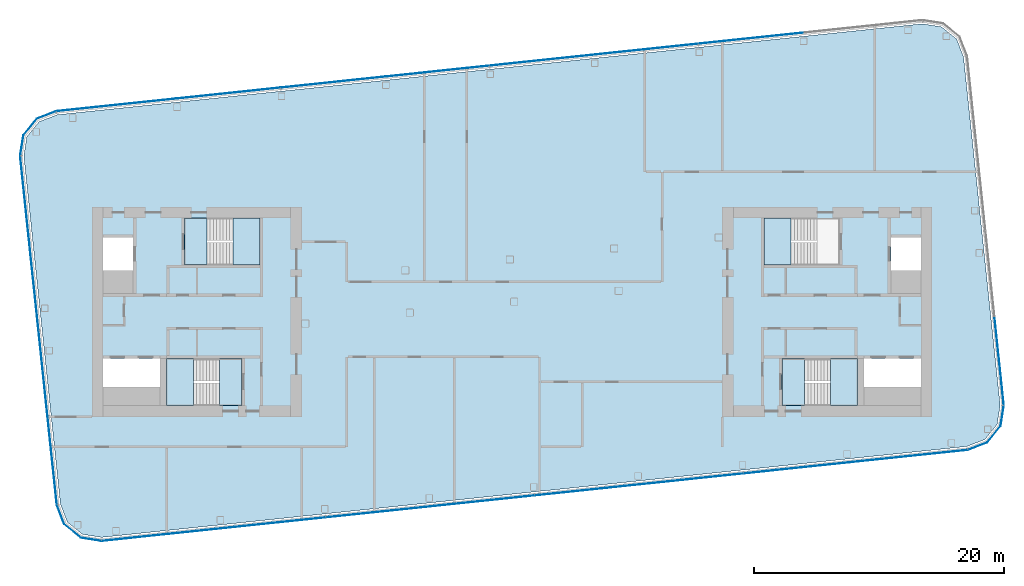
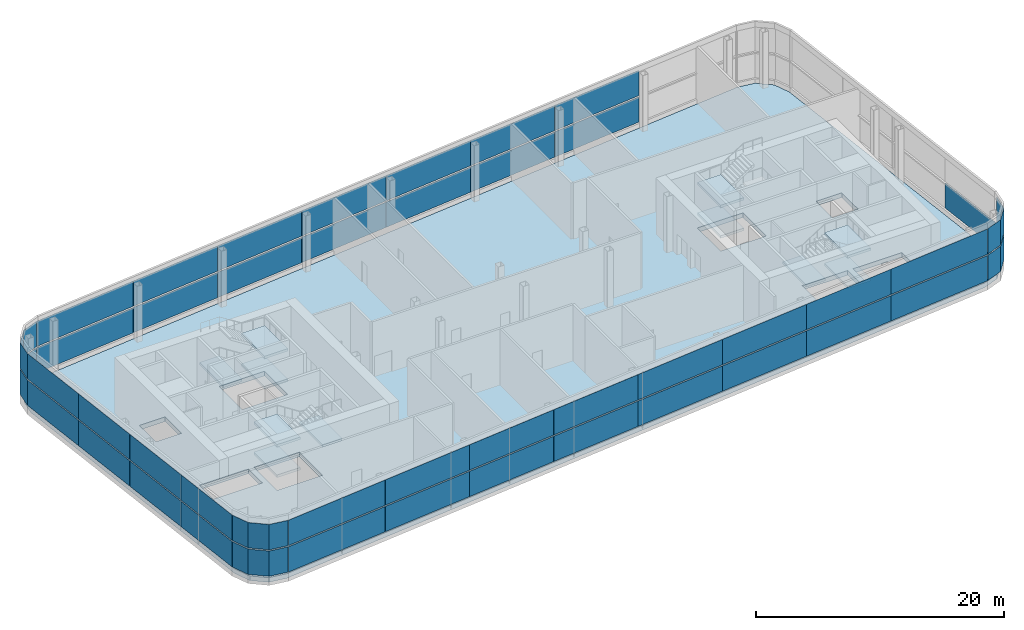
# One storey, part 13 of 35: 45 plates, 12 slabs, 11 elements without a shape of their own.
"""IFC4 building model written with IfcOpenShell, lengths in metres."""

from ifc_helpers import new_model, si_unit, direction, frame, origin, origin_2d, place, context, subcontext, project, spatial, polyline, rectangle, outline, extrude, material, layer, layer_set, type_object, element, aggregate, save


model = new_model("IFC4")

# Units and contexts
model_context = context("Model", 3, precision=1e-05, world=origin(), true_north=direction((0.0, 1.0)))
body_context = subcontext(model_context, "Body", "Model", "MODEL_VIEW")
ifc_project = project(units=[si_unit("LENGTHUNIT", "METRE"), si_unit("AREAUNIT", "SQUARE_METRE"), si_unit("VOLUMEUNIT", "CUBIC_METRE"), si_unit("PLANEANGLEUNIT", "RADIAN"), si_unit("MASSUNIT", "GRAM", prefix="KILO")], contexts=[model_context])

# Site, building, storey
site_placement = place(None, origin())
site = spatial("IfcSite", under=ifc_project, at=site_placement, CompositionType="ELEMENT")
building_placement = place(site_placement, origin())
building = spatial("IfcBuilding", under=site, at=building_placement, Name="Hakoniwa Tower and Hamabe Station Hall", CompositionType="ELEMENT")
storey_placement = place(building_placement, frame((0.0, 0.0, 270.60009765625)))
storey = spatial("IfcBuildingStorey", under=building, at=storey_placement, Name="L76", CompositionType="ELEMENT", Elevation=270.60009765625)

# Stair, slabs
ifc_material_1 = material(Name="Concrete C40", Category="concrete")
stair_type = type_object("IfcStairType", Name="ESCAPE STAIR 1800", PredefinedType="HALF_TURN_STAIR", material=ifc_material_1)
stair_1_placement = place(storey_placement, origin())
stair_1 = element("IfcStair", 1, at=stair_1_placement, inside=storey, type_object=stair_type, Name="Escape stair ST-1 L76", PredefinedType="HALF_TURN_STAIR")
ifc_material_2 = material(Name="Concrete C40", Category="concrete")
ifc_layer_1 = layer(ifc_material_2, 0.25)
ifc_layer_set_1 = layer_set([ifc_layer_1], Name="CORE STAIR LANDING 250")
slab_type_1 = type_object("IfcSlabType", Name="CORE STAIR LANDING 250", PredefinedType="LANDING", material=ifc_layer_set_1)
slab_1_placement = place(storey_placement, frame((0.0, 0.0, 1.25)))
slab_1 = element("IfcSlab", 2, at=slab_1_placement, type_object=slab_type_1, Name="ST-1 landing 1", PredefinedType="LANDING", context=body_context, shape_type="SweptSolid", body=[
    extrude(outline(polyline([(-22.320068359375, 3.75), (-20.14990234375, 3.75), (-20.14990234375, 7.5), (-22.320068359375, 7.5), (-22.320068359375, 3.75)])), origin(), (0.0, 0.0, 1.0), 0.25),
])
slab_2_placement = place(storey_placement, frame((0.0, 0.0, 2.75)))
slab_2 = element("IfcSlab", 3, at=slab_2_placement, type_object=slab_type_1, Name="ST-1 landing 2", PredefinedType="LANDING", context=body_context, shape_type="SweptSolid", body=[
    extrude(outline(polyline([(-26.199951171875, 3.75), (-24.39990234375, 3.75), (-24.39990234375, 7.5), (-26.199951171875, 7.5), (-26.199951171875, 3.75)])), origin(), (0.0, 0.0, 1.0), 0.25),
])
slab_3_placement = place(storey_placement, frame((0.0, 0.0, 4.25)))
slab_3 = element("IfcSlab", 4, at=slab_3_placement, type_object=slab_type_1, Name="ST-1 landing 3", PredefinedType="LANDING", context=body_context, shape_type="SweptSolid", body=[
    extrude(outline(polyline([(-22.320068359375, 3.75), (-20.14990234375, 3.75), (-20.14990234375, 7.5), (-22.320068359375, 7.5), (-22.320068359375, 3.75)])), origin(), (0.0, 0.0, 1.0), 0.25),
])
aggregate(stair_1, [slab_1, slab_2, slab_3])

stair_2_placement = place(storey_placement, origin())
stair_2 = element("IfcStair", 5, at=stair_2_placement, inside=storey, type_object=stair_type, Name="Escape stair ST-2 L76", PredefinedType="HALF_TURN_STAIR")
slab_4_placement = place(storey_placement, frame((0.0, 0.0, 1.25)))
slab_4 = element("IfcSlab", 6, at=slab_4_placement, type_object=slab_type_1, Name="ST-2 landing 1", PredefinedType="LANDING", context=body_context, shape_type="SweptSolid", body=[
    extrude(outline(polyline([(-25.47998046875, -7.5), (-27.64990234375, -7.5), (-27.64990234375, -3.75), (-25.47998046875, -3.75), (-25.47998046875, -7.5)])), origin(), (0.0, 0.0, 1.0), 0.25),
])
slab_5_placement = place(storey_placement, frame((0.0, 0.0, 2.75)))
slab_5 = element("IfcSlab", 7, at=slab_5_placement, type_object=slab_type_1, Name="ST-2 landing 2", PredefinedType="LANDING", context=body_context, shape_type="SweptSolid", body=[
    extrude(outline(polyline([(-21.60009765625, -7.5), (-23.39990234375, -7.5), (-23.39990234375, -3.75), (-21.60009765625, -3.75), (-21.60009765625, -7.5)])), origin(), (0.0, 0.0, 1.0), 0.25),
])
slab_6_placement = place(storey_placement, frame((0.0, 0.0, 4.25)))
slab_6 = element("IfcSlab", 8, at=slab_6_placement, type_object=slab_type_1, Name="ST-2 landing 3", PredefinedType="LANDING", context=body_context, shape_type="SweptSolid", body=[
    extrude(outline(polyline([(-25.47998046875, -7.5), (-27.64990234375, -7.5), (-27.64990234375, -3.75), (-25.47998046875, -3.75), (-25.47998046875, -7.5)])), origin(), (0.0, 0.0, 1.0), 0.25),
])
aggregate(stair_2, [slab_4, slab_5, slab_6])

stair_3_placement = place(storey_placement, origin())
stair_3 = element("IfcStair", 9, at=stair_3_placement, inside=storey, type_object=stair_type, Name="Escape stair ST-3 L76", PredefinedType="HALF_TURN_STAIR")
slab_7_placement = place(storey_placement, frame((0.0, 0.0, 1.25)))
slab_7 = element("IfcSlab", 10, at=slab_7_placement, type_object=slab_type_1, Name="ST-3 landing 1", PredefinedType="LANDING", context=body_context, shape_type="SweptSolid", body=[
    extrude(outline(polyline([(22.320068359375, 3.75), (20.14990234375, 3.75), (20.14990234375, 7.5), (22.320068359375, 7.5), (22.320068359375, 3.75)])), origin(), (0.0, 0.0, 1.0), 0.25),
])
slab_8_placement = place(storey_placement, frame((0.0, 0.0, 4.25)))
slab_8 = element("IfcSlab", 11, at=slab_8_placement, type_object=slab_type_1, Name="ST-3 landing 3", PredefinedType="LANDING", context=body_context, shape_type="SweptSolid", body=[
    extrude(outline(polyline([(22.320068359375, 3.75), (20.14990234375, 3.75), (20.14990234375, 7.5), (22.320068359375, 7.5), (22.320068359375, 3.75)])), origin(), (0.0, 0.0, 1.0), 0.25),
])
aggregate(stair_3, [slab_7, slab_8])

stair_4_placement = place(storey_placement, origin())
stair_4 = element("IfcStair", 12, at=stair_4_placement, inside=storey, type_object=stair_type, Name="Escape stair ST-4 L76", PredefinedType="HALF_TURN_STAIR")
slab_9_placement = place(storey_placement, frame((0.0, 0.0, 1.25)))
slab_9 = element("IfcSlab", 13, at=slab_9_placement, type_object=slab_type_1, Name="ST-4 landing 1", PredefinedType="LANDING", context=body_context, shape_type="SweptSolid", body=[
    extrude(outline(polyline([(25.47998046875, -7.5), (27.64990234375, -7.5), (27.64990234375, -3.75), (25.47998046875, -3.75), (25.47998046875, -7.5)])), origin(), (0.0, 0.0, 1.0), 0.25),
])
slab_10_placement = place(storey_placement, frame((0.0, 0.0, 2.75)))
slab_10 = element("IfcSlab", 14, at=slab_10_placement, type_object=slab_type_1, Name="ST-4 landing 2", PredefinedType="LANDING", context=body_context, shape_type="SweptSolid", body=[
    extrude(outline(polyline([(21.60009765625, -7.5), (23.39990234375, -7.5), (23.39990234375, -3.75), (21.60009765625, -3.75), (21.60009765625, -7.5)])), origin(), (0.0, 0.0, 1.0), 0.25),
])
slab_11_placement = place(storey_placement, frame((0.0, 0.0, 4.25)))
slab_11 = element("IfcSlab", 15, at=slab_11_placement, type_object=slab_type_1, Name="ST-4 landing 3", PredefinedType="LANDING", context=body_context, shape_type="SweptSolid", body=[
    extrude(outline(polyline([(25.47998046875, -7.5), (27.64990234375, -7.5), (27.64990234375, -3.75), (25.47998046875, -3.75), (25.47998046875, -7.5)])), origin(), (0.0, 0.0, 1.0), 0.25),
])
aggregate(stair_4, [slab_9, slab_10, slab_11])

# Curtain wall, plate
ifc_material_3 = material(Name="Dark low-e laminated glass", Category="glass")
ifc_layer_2 = layer(ifc_material_3, 0.199951171875)
ifc_layer_set_2 = layer_set([ifc_layer_2], Name="CW-1 UNITISED GUEST")
curtain_wall_type = type_object("IfcCurtainWallType", Name="CW-1 UNITISED GUEST", PredefinedType="NOTDEFINED", material=ifc_layer_set_2)
curtain_wall_1_placement = place(storey_placement, origin())
curtain_wall_1 = element("IfcCurtainWall", 16, at=curtain_wall_1_placement, inside=storey, type_object=curtain_wall_type, Name="CW-1 curtain wall", PredefinedType="NOTDEFINED")
ifc_material_4 = material(Name="Dark low-e laminated glass", Category="glass")
ifc_layer_3 = layer(ifc_material_4, 0.028076171875)
ifc_layer_set_3 = layer_set([ifc_layer_3], Name="CW-1 GLASS UNIT")
plate_type = type_object("IfcPlateType", Name="CW-1 GLASS UNIT", PredefinedType="CURTAIN_PANEL", material=ifc_layer_set_3)
plate_1_placement = place(storey_placement, frame((38.97802734375, -3.990966796875, 0.35009765625), z_axis=(0.0, 0.0, 1.0), x_axis=(-0.104528468631, 0.994521894805, 0.0)))
plate_1 = element("IfcPlate", 17, at=plate_1_placement, type_object=plate_type, Name="CW-1 glass unit", PredefinedType="CURTAIN_PANEL", context=body_context, shape_type="SweptSolid", body=[
    extrude(rectangle(XDim=6.999755859375, YDim=0.028076171875, at=origin_2d()), origin(), (0.0, 0.0, 1.0), 2.489990234375),
])
aggregate(curtain_wall_1, [plate_1])

# Curtain wall, plates
curtain_wall_2_placement = place(storey_placement, origin())
curtain_wall_2 = element("IfcCurtainWall", 18, at=curtain_wall_2_placement, inside=storey, type_object=curtain_wall_type, Name="CW-1 curtain wall", PredefinedType="NOTDEFINED")
plate_2_placement = place(storey_placement, frame((19.078125, 21.886474609375, 0.35009765625), z_axis=(0.0, 0.0, 1.0), x_axis=(-0.994521895272, -0.104528464188, 0.0)))
plate_2 = element("IfcPlate", 19, at=plate_2_placement, type_object=plate_type, Name="CW-1 glass unit", PredefinedType="CURTAIN_PANEL", context=body_context, shape_type="SweptSolid", body=[
    extrude(rectangle(XDim=8.3798828125, YDim=0.028076171875, at=origin_2d()), origin(), (0.0, 0.0, 1.0), 2.489990234375),
])
plate_3_placement = place(storey_placement, frame((19.078125, 21.886474609375, 2.9599609375), z_axis=(0.0, 0.0, 1.0), x_axis=(-0.994521895272, -0.104528464188, 0.0)))
plate_3 = element("IfcPlate", 20, at=plate_3_placement, type_object=plate_type, Name="CW-1 glass unit", PredefinedType="CURTAIN_PANEL", context=body_context, shape_type="SweptSolid", body=[
    extrude(rectangle(XDim=8.3798828125, YDim=0.028076171875, at=origin_2d()), origin(), (0.0, 0.0, 1.0), 2.489990234375),
])
plate_4_placement = place(storey_placement, frame((10.72412109375, 21.00830078125, 0.35009765625), z_axis=(0.0, 0.0, 1.0), x_axis=(-0.994521895272, -0.104528464188, 0.0)))
plate_4 = element("IfcPlate", 21, at=plate_4_placement, type_object=plate_type, Name="CW-1 glass unit", PredefinedType="CURTAIN_PANEL", context=body_context, shape_type="SweptSolid", body=[
    extrude(rectangle(XDim=8.3798828125, YDim=0.028076171875, at=origin_2d()), origin(), (0.0, 0.0, 1.0), 2.489990234375),
])
plate_5_placement = place(storey_placement, frame((10.72412109375, 21.00830078125, 2.9599609375), z_axis=(0.0, 0.0, 1.0), x_axis=(-0.994521895272, -0.104528464188, 0.0)))
plate_5 = element("IfcPlate", 22, at=plate_5_placement, type_object=plate_type, Name="CW-1 glass unit", PredefinedType="CURTAIN_PANEL", context=body_context, shape_type="SweptSolid", body=[
    extrude(rectangle(XDim=8.3798828125, YDim=0.028076171875, at=origin_2d()), origin(), (0.0, 0.0, 1.0), 2.489990234375),
])
plate_6_placement = place(storey_placement, frame((2.3701171875, 20.13037109375, 0.35009765625), z_axis=(0.0, 0.0, 1.0), x_axis=(-0.994521895272, -0.104528464188, 0.0)))
plate_6 = element("IfcPlate", 23, at=plate_6_placement, type_object=plate_type, Name="CW-1 glass unit", PredefinedType="CURTAIN_PANEL", context=body_context, shape_type="SweptSolid", body=[
    extrude(rectangle(XDim=8.3798828125, YDim=0.028076171875, at=origin_2d()), origin(), (0.0, 0.0, 1.0), 2.489990234375),
])
plate_7_placement = place(storey_placement, frame((2.3701171875, 20.13037109375, 2.9599609375), z_axis=(0.0, 0.0, 1.0), x_axis=(-0.994521895272, -0.104528464188, 0.0)))
plate_7 = element("IfcPlate", 24, at=plate_7_placement, type_object=plate_type, Name="CW-1 glass unit", PredefinedType="CURTAIN_PANEL", context=body_context, shape_type="SweptSolid", body=[
    extrude(rectangle(XDim=8.3798828125, YDim=0.028076171875, at=origin_2d()), origin(), (0.0, 0.0, 1.0), 2.489990234375),
])
plate_8_placement = place(storey_placement, frame((-5.98388671875, 19.252197265625, 0.35009765625), z_axis=(0.0, 0.0, 1.0), x_axis=(-0.994521895272, -0.104528464188, 0.0)))
plate_8 = element("IfcPlate", 25, at=plate_8_placement, type_object=plate_type, Name="CW-1 glass unit", PredefinedType="CURTAIN_PANEL", context=body_context, shape_type="SweptSolid", body=[
    extrude(rectangle(XDim=8.3798828125, YDim=0.028076171875, at=origin_2d()), origin(), (0.0, 0.0, 1.0), 2.489990234375),
])
plate_9_placement = place(storey_placement, frame((-5.98388671875, 19.252197265625, 2.9599609375), z_axis=(0.0, 0.0, 1.0), x_axis=(-0.994521895272, -0.104528464188, 0.0)))
plate_9 = element("IfcPlate", 26, at=plate_9_placement, type_object=plate_type, Name="CW-1 glass unit", PredefinedType="CURTAIN_PANEL", context=body_context, shape_type="SweptSolid", body=[
    extrude(rectangle(XDim=8.3798828125, YDim=0.028076171875, at=origin_2d()), origin(), (0.0, 0.0, 1.0), 2.489990234375),
])
plate_10_placement = place(storey_placement, frame((-14.337890625, 18.374267578125, 0.35009765625), z_axis=(0.0, 0.0, 1.0), x_axis=(-0.994521895272, -0.104528464188, 0.0)))
plate_10 = element("IfcPlate", 27, at=plate_10_placement, type_object=plate_type, Name="CW-1 glass unit", PredefinedType="CURTAIN_PANEL", context=body_context, shape_type="SweptSolid", body=[
    extrude(rectangle(XDim=8.3798828125, YDim=0.028076171875, at=origin_2d()), origin(), (0.0, 0.0, 1.0), 2.489990234375),
])
plate_11_placement = place(storey_placement, frame((-14.337890625, 18.374267578125, 2.9599609375), z_axis=(0.0, 0.0, 1.0), x_axis=(-0.994521895272, -0.104528464188, 0.0)))
plate_11 = element("IfcPlate", 28, at=plate_11_placement, type_object=plate_type, Name="CW-1 glass unit", PredefinedType="CURTAIN_PANEL", context=body_context, shape_type="SweptSolid", body=[
    extrude(rectangle(XDim=8.3798828125, YDim=0.028076171875, at=origin_2d()), origin(), (0.0, 0.0, 1.0), 2.489990234375),
])
plate_12_placement = place(storey_placement, frame((-22.69189453125, 17.49609375, 0.35009765625), z_axis=(0.0, 0.0, 1.0), x_axis=(-0.994521895272, -0.104528464188, 0.0)))
plate_12 = element("IfcPlate", 29, at=plate_12_placement, type_object=plate_type, Name="CW-1 glass unit", PredefinedType="CURTAIN_PANEL", context=body_context, shape_type="SweptSolid", body=[
    extrude(rectangle(XDim=8.3798828125, YDim=0.028076171875, at=origin_2d()), origin(), (0.0, 0.0, 1.0), 2.489990234375),
])
plate_13_placement = place(storey_placement, frame((-22.69189453125, 17.49609375, 2.9599609375), z_axis=(0.0, 0.0, 1.0), x_axis=(-0.994521895272, -0.104528464188, 0.0)))
plate_13 = element("IfcPlate", 30, at=plate_13_placement, type_object=plate_type, Name="CW-1 glass unit", PredefinedType="CURTAIN_PANEL", context=body_context, shape_type="SweptSolid", body=[
    extrude(rectangle(XDim=8.3798828125, YDim=0.028076171875, at=origin_2d()), origin(), (0.0, 0.0, 1.0), 2.489990234375),
])
plate_14_placement = place(storey_placement, frame((-31.662109375, 16.553466796875, 0.35009765625), z_axis=(0.0, 0.0, 1.0), x_axis=(-0.994521895272, -0.104528464188, 0.0)))
plate_14 = element("IfcPlate", 31, at=plate_14_placement, type_object=plate_type, Name="CW-1 glass unit", PredefinedType="CURTAIN_PANEL", context=body_context, shape_type="SweptSolid", body=[
    extrude(rectangle(XDim=9.619384765625, YDim=0.028076171875, at=origin_2d()), origin(), (0.0, 0.0, 1.0), 2.489990234375),
])
plate_15_placement = place(storey_placement, frame((-31.662109375, 16.553466796875, 2.9599609375), z_axis=(0.0, 0.0, 1.0), x_axis=(-0.994521895272, -0.104528464188, 0.0)))
plate_15 = element("IfcPlate", 32, at=plate_15_placement, type_object=plate_type, Name="CW-1 glass unit", PredefinedType="CURTAIN_PANEL", context=body_context, shape_type="SweptSolid", body=[
    extrude(rectangle(XDim=9.619384765625, YDim=0.028076171875, at=origin_2d()), origin(), (0.0, 0.0, 1.0), 2.489990234375),
])
aggregate(curtain_wall_2, [plate_2, plate_3, plate_4, plate_5, plate_6, plate_7, plate_8, plate_9, plate_10, plate_11, plate_12, plate_13, plate_14, plate_15])

curtain_wall_3_placement = place(storey_placement, origin())
curtain_wall_3 = element("IfcCurtainWall", 33, at=curtain_wall_3_placement, inside=storey, type_object=curtain_wall_type, Name="CW-1 curtain wall", PredefinedType="NOTDEFINED")
plate_16_placement = place(storey_placement, frame((0.0, 0.0, 0.349853515625)))
plate_16 = element("IfcPlate", 34, at=plate_16_placement, type_object=plate_type, Name="CW-1 curved corner unit", PredefinedType="CURTAIN_PANEL", context=body_context, shape_type="SweptSolid", body=[
    extrude(outline(polyline([(-36.494384765625, 16.049072265625), (-38.0185546875, 15.464111328125), (-39.09716796875, 14.13232421875), (-39.3525390625, 12.51953125), (-39.324951171875, 12.51513671875), (-39.070556640625, 14.120361328125), (-38.001708984375, 15.440673828125), (-36.484375, 16.02294921875), (-36.494384765625, 16.049072265625)])), origin(), (0.0, 0.0, 1.0), 2.489990234375),
])
plate_17_placement = place(storey_placement, frame((0.0, 0.0, 2.9599609375)))
plate_17 = element("IfcPlate", 35, at=plate_17_placement, type_object=plate_type, Name="CW-1 curved corner unit", PredefinedType="CURTAIN_PANEL", context=body_context, shape_type="SweptSolid", body=[
    extrude(outline(polyline([(-36.494384765625, 16.049072265625), (-38.0185546875, 15.464111328125), (-39.09716796875, 14.13232421875), (-39.3525390625, 12.51953125), (-39.324951171875, 12.51513671875), (-39.070556640625, 14.120361328125), (-38.001708984375, 15.440673828125), (-36.484375, 16.02294921875), (-36.494384765625, 16.049072265625)])), origin(), (0.0, 0.0, 1.0), 2.489990234375),
])
aggregate(curtain_wall_3, [plate_16, plate_17])

curtain_wall_4_placement = place(storey_placement, origin())
curtain_wall_4 = element("IfcCurtainWall", 36, at=curtain_wall_4_placement, inside=storey, type_object=curtain_wall_type, Name="CW-1 curtain wall", PredefinedType="NOTDEFINED")
plate_18_placement = place(storey_placement, frame((-38.97802734375, 8.990966796875, 0.35009765625), z_axis=(0.0, 0.0, 1.0), x_axis=(0.104528468631, -0.994521894805, 0.0)))
plate_18 = element("IfcPlate", 37, at=plate_18_placement, type_object=plate_type, Name="CW-1 glass unit", PredefinedType="CURTAIN_PANEL", context=body_context, shape_type="SweptSolid", body=[
    extrude(rectangle(XDim=6.999755859375, YDim=0.028076171875, at=origin_2d()), origin(), (0.0, 0.0, 1.0), 2.489990234375),
])
plate_19_placement = place(storey_placement, frame((-38.97802734375, 8.990966796875, 2.9599609375), z_axis=(0.0, 0.0, 1.0), x_axis=(0.104528468631, -0.994521894805, 0.0)))
plate_19 = element("IfcPlate", 38, at=plate_19_placement, type_object=plate_type, Name="CW-1 glass unit", PredefinedType="CURTAIN_PANEL", context=body_context, shape_type="SweptSolid", body=[
    extrude(rectangle(XDim=6.999755859375, YDim=0.028076171875, at=origin_2d()), origin(), (0.0, 0.0, 1.0), 2.489990234375),
])
plate_20_placement = place(storey_placement, frame((-38.244140625, 2.009521484375, 0.35009765625), z_axis=(0.0, 0.0, 1.0), x_axis=(0.104528468631, -0.994521894805, 0.0)))
plate_20 = element("IfcPlate", 39, at=plate_20_placement, type_object=plate_type, Name="CW-1 glass unit", PredefinedType="CURTAIN_PANEL", context=body_context, shape_type="SweptSolid", body=[
    extrude(rectangle(XDim=6.999755859375, YDim=0.028076171875, at=origin_2d()), origin(), (0.0, 0.0, 1.0), 2.489990234375),
])
plate_21_placement = place(storey_placement, frame((-38.244140625, 2.009521484375, 2.9599609375), z_axis=(0.0, 0.0, 1.0), x_axis=(0.104528468631, -0.994521894805, 0.0)))
plate_21 = element("IfcPlate", 40, at=plate_21_placement, type_object=plate_type, Name="CW-1 glass unit", PredefinedType="CURTAIN_PANEL", context=body_context, shape_type="SweptSolid", body=[
    extrude(rectangle(XDim=6.999755859375, YDim=0.028076171875, at=origin_2d()), origin(), (0.0, 0.0, 1.0), 2.489990234375),
])
plate_22_placement = place(storey_placement, frame((-37.510498046875, -4.9716796875, 0.35009765625), z_axis=(0.0, 0.0, 1.0), x_axis=(0.104528468631, -0.994521894805, 0.0)))
plate_22 = element("IfcPlate", 41, at=plate_22_placement, type_object=plate_type, Name="CW-1 glass unit", PredefinedType="CURTAIN_PANEL", context=body_context, shape_type="SweptSolid", body=[
    extrude(rectangle(XDim=6.999755859375, YDim=0.028076171875, at=origin_2d()), origin(), (0.0, 0.0, 1.0), 2.489990234375),
])
plate_23_placement = place(storey_placement, frame((-37.510498046875, -4.9716796875, 2.9599609375), z_axis=(0.0, 0.0, 1.0), x_axis=(0.104528468631, -0.994521894805, 0.0)))
plate_23 = element("IfcPlate", 42, at=plate_23_placement, type_object=plate_type, Name="CW-1 glass unit", PredefinedType="CURTAIN_PANEL", context=body_context, shape_type="SweptSolid", body=[
    extrude(rectangle(XDim=6.999755859375, YDim=0.028076171875, at=origin_2d()), origin(), (0.0, 0.0, 1.0), 2.489990234375),
])
plate_24_placement = place(storey_placement, frame((-36.776611328125, -11.953125, 0.35009765625), z_axis=(0.0, 0.0, 1.0), x_axis=(0.104528468631, -0.994521894805, 0.0)))
plate_24 = element("IfcPlate", 43, at=plate_24_placement, type_object=plate_type, Name="CW-1 glass unit", PredefinedType="CURTAIN_PANEL", context=body_context, shape_type="SweptSolid", body=[
    extrude(rectangle(XDim=6.999755859375, YDim=0.028076171875, at=origin_2d()), origin(), (0.0, 0.0, 1.0), 2.489990234375),
])
plate_25_placement = place(storey_placement, frame((-36.776611328125, -11.953125, 2.9599609375), z_axis=(0.0, 0.0, 1.0), x_axis=(0.104528468631, -0.994521894805, 0.0)))
plate_25 = element("IfcPlate", 44, at=plate_25_placement, type_object=plate_type, Name="CW-1 glass unit", PredefinedType="CURTAIN_PANEL", context=body_context, shape_type="SweptSolid", body=[
    extrude(rectangle(XDim=6.999755859375, YDim=0.028076171875, at=origin_2d()), origin(), (0.0, 0.0, 1.0), 2.489990234375),
])
aggregate(curtain_wall_4, [plate_18, plate_19, plate_20, plate_21, plate_22, plate_23, plate_24, plate_25])

curtain_wall_5_placement = place(storey_placement, origin())
curtain_wall_5 = element("IfcCurtainWall", 45, at=curtain_wall_5_placement, inside=storey, type_object=curtain_wall_type, Name="CW-1 curtain wall", PredefinedType="NOTDEFINED")
plate_26_placement = place(storey_placement, frame((0.0, 0.0, 0.349853515625)))
plate_26 = element("IfcPlate", 46, at=plate_26_placement, type_object=plate_type, Name="CW-1 curved corner unit", PredefinedType="CURTAIN_PANEL", context=body_context, shape_type="SweptSolid", body=[
    extrude(outline(polyline([(-36.409423828125, -15.482421875), (-35.82421875, -17.0068359375), (-34.492431640625, -18.085205078125), (-32.8798828125, -18.340576171875), (-32.87548828125, -18.31298828125), (-34.480712890625, -18.058837890625), (-35.80078125, -16.98974609375), (-36.38330078125, -15.472412109375), (-36.409423828125, -15.482421875)])), origin(), (0.0, 0.0, 1.0), 2.489990234375),
])
plate_27_placement = place(storey_placement, frame((0.0, 0.0, 2.9599609375)))
plate_27 = element("IfcPlate", 47, at=plate_27_placement, type_object=plate_type, Name="CW-1 curved corner unit", PredefinedType="CURTAIN_PANEL", context=body_context, shape_type="SweptSolid", body=[
    extrude(outline(polyline([(-36.409423828125, -15.482421875), (-35.82421875, -17.0068359375), (-34.492431640625, -18.085205078125), (-32.8798828125, -18.340576171875), (-32.87548828125, -18.31298828125), (-34.480712890625, -18.058837890625), (-35.80078125, -16.98974609375), (-36.38330078125, -15.472412109375), (-36.409423828125, -15.482421875)])), origin(), (0.0, 0.0, 1.0), 2.489990234375),
])
aggregate(curtain_wall_5, [plate_26, plate_27])

curtain_wall_6_placement = place(storey_placement, origin())
curtain_wall_6 = element("IfcCurtainWall", 48, at=curtain_wall_6_placement, inside=storey, type_object=curtain_wall_type, Name="CW-1 curtain wall", PredefinedType="NOTDEFINED")
plate_28_placement = place(storey_placement, frame((-28.04833984375, -17.829345703125, 0.35009765625), z_axis=(0.0, 0.0, 1.0), x_axis=(0.994521895272, 0.104528464188, 0.0)))
plate_28 = element("IfcPlate", 49, at=plate_28_placement, type_object=plate_type, Name="CW-1 glass unit", PredefinedType="CURTAIN_PANEL", context=body_context, shape_type="SweptSolid", body=[
    extrude(rectangle(XDim=9.619384765625, YDim=0.028076171875, at=origin_2d()), origin(), (0.0, 0.0, 1.0), 2.489990234375),
])
plate_29_placement = place(storey_placement, frame((-28.04833984375, -17.829345703125, 2.9599609375), z_axis=(0.0, 0.0, 1.0), x_axis=(0.994521895272, 0.104528464188, 0.0)))
plate_29 = element("IfcPlate", 50, at=plate_29_placement, type_object=plate_type, Name="CW-1 glass unit", PredefinedType="CURTAIN_PANEL", context=body_context, shape_type="SweptSolid", body=[
    extrude(rectangle(XDim=9.619384765625, YDim=0.028076171875, at=origin_2d()), origin(), (0.0, 0.0, 1.0), 2.489990234375),
])
plate_30_placement = place(storey_placement, frame((-19.078125, -16.886474609375, 0.35009765625), z_axis=(0.0, 0.0, 1.0), x_axis=(0.994521895272, 0.104528464188, 0.0)))
plate_30 = element("IfcPlate", 51, at=plate_30_placement, type_object=plate_type, Name="CW-1 glass unit", PredefinedType="CURTAIN_PANEL", context=body_context, shape_type="SweptSolid", body=[
    extrude(rectangle(XDim=8.3798828125, YDim=0.028076171875, at=origin_2d()), origin(), (0.0, 0.0, 1.0), 2.489990234375),
])
plate_31_placement = place(storey_placement, frame((-19.078125, -16.886474609375, 2.9599609375), z_axis=(0.0, 0.0, 1.0), x_axis=(0.994521895272, 0.104528464188, 0.0)))
plate_31 = element("IfcPlate", 52, at=plate_31_placement, type_object=plate_type, Name="CW-1 glass unit", PredefinedType="CURTAIN_PANEL", context=body_context, shape_type="SweptSolid", body=[
    extrude(rectangle(XDim=8.3798828125, YDim=0.028076171875, at=origin_2d()), origin(), (0.0, 0.0, 1.0), 2.489990234375),
])
plate_32_placement = place(storey_placement, frame((-10.72412109375, -16.00830078125, 0.35009765625), z_axis=(0.0, 0.0, 1.0), x_axis=(0.994521895272, 0.104528464188, 0.0)))
plate_32 = element("IfcPlate", 53, at=plate_32_placement, type_object=plate_type, Name="CW-1 glass unit", PredefinedType="CURTAIN_PANEL", context=body_context, shape_type="SweptSolid", body=[
    extrude(rectangle(XDim=8.3798828125, YDim=0.028076171875, at=origin_2d()), origin(), (0.0, 0.0, 1.0), 2.489990234375),
])
plate_33_placement = place(storey_placement, frame((-10.72412109375, -16.00830078125, 2.9599609375), z_axis=(0.0, 0.0, 1.0), x_axis=(0.994521895272, 0.104528464188, 0.0)))
plate_33 = element("IfcPlate", 54, at=plate_33_placement, type_object=plate_type, Name="CW-1 glass unit", PredefinedType="CURTAIN_PANEL", context=body_context, shape_type="SweptSolid", body=[
    extrude(rectangle(XDim=8.3798828125, YDim=0.028076171875, at=origin_2d()), origin(), (0.0, 0.0, 1.0), 2.489990234375),
])
plate_34_placement = place(storey_placement, frame((-2.3701171875, -15.13037109375, 0.35009765625), z_axis=(0.0, 0.0, 1.0), x_axis=(0.994521895272, 0.104528464188, 0.0)))
plate_34 = element("IfcPlate", 55, at=plate_34_placement, type_object=plate_type, Name="CW-1 glass unit", PredefinedType="CURTAIN_PANEL", context=body_context, shape_type="SweptSolid", body=[
    extrude(rectangle(XDim=8.3798828125, YDim=0.028076171875, at=origin_2d()), origin(), (0.0, 0.0, 1.0), 2.489990234375),
])
plate_35_placement = place(storey_placement, frame((-2.3701171875, -15.13037109375, 2.9599609375), z_axis=(0.0, 0.0, 1.0), x_axis=(0.994521895272, 0.104528464188, 0.0)))
plate_35 = element("IfcPlate", 56, at=plate_35_placement, type_object=plate_type, Name="CW-1 glass unit", PredefinedType="CURTAIN_PANEL", context=body_context, shape_type="SweptSolid", body=[
    extrude(rectangle(XDim=8.3798828125, YDim=0.028076171875, at=origin_2d()), origin(), (0.0, 0.0, 1.0), 2.489990234375),
])
plate_36_placement = place(storey_placement, frame((5.98388671875, -14.252197265625, 0.35009765625), z_axis=(0.0, 0.0, 1.0), x_axis=(0.994521895272, 0.104528464188, 0.0)))
plate_36 = element("IfcPlate", 57, at=plate_36_placement, type_object=plate_type, Name="CW-1 glass unit", PredefinedType="CURTAIN_PANEL", context=body_context, shape_type="SweptSolid", body=[
    extrude(rectangle(XDim=8.3798828125, YDim=0.028076171875, at=origin_2d()), origin(), (0.0, 0.0, 1.0), 2.489990234375),
])
plate_37_placement = place(storey_placement, frame((5.98388671875, -14.252197265625, 2.9599609375), z_axis=(0.0, 0.0, 1.0), x_axis=(0.994521895272, 0.104528464188, 0.0)))
plate_37 = element("IfcPlate", 58, at=plate_37_placement, type_object=plate_type, Name="CW-1 glass unit", PredefinedType="CURTAIN_PANEL", context=body_context, shape_type="SweptSolid", body=[
    extrude(rectangle(XDim=8.3798828125, YDim=0.028076171875, at=origin_2d()), origin(), (0.0, 0.0, 1.0), 2.489990234375),
])
plate_38_placement = place(storey_placement, frame((14.337890625, -13.374267578125, 0.35009765625), z_axis=(0.0, 0.0, 1.0), x_axis=(0.994521895272, 0.104528464188, 0.0)))
plate_38 = element("IfcPlate", 59, at=plate_38_placement, type_object=plate_type, Name="CW-1 glass unit", PredefinedType="CURTAIN_PANEL", context=body_context, shape_type="SweptSolid", body=[
    extrude(rectangle(XDim=8.3798828125, YDim=0.028076171875, at=origin_2d()), origin(), (0.0, 0.0, 1.0), 2.489990234375),
])
plate_39_placement = place(storey_placement, frame((14.337890625, -13.374267578125, 2.9599609375), z_axis=(0.0, 0.0, 1.0), x_axis=(0.994521895272, 0.104528464188, 0.0)))
plate_39 = element("IfcPlate", 60, at=plate_39_placement, type_object=plate_type, Name="CW-1 glass unit", PredefinedType="CURTAIN_PANEL", context=body_context, shape_type="SweptSolid", body=[
    extrude(rectangle(XDim=8.3798828125, YDim=0.028076171875, at=origin_2d()), origin(), (0.0, 0.0, 1.0), 2.489990234375),
])
plate_40_placement = place(storey_placement, frame((22.69189453125, -12.49609375, 0.35009765625), z_axis=(0.0, 0.0, 1.0), x_axis=(0.994521895272, 0.104528464188, 0.0)))
plate_40 = element("IfcPlate", 61, at=plate_40_placement, type_object=plate_type, Name="CW-1 glass unit", PredefinedType="CURTAIN_PANEL", context=body_context, shape_type="SweptSolid", body=[
    extrude(rectangle(XDim=8.3798828125, YDim=0.028076171875, at=origin_2d()), origin(), (0.0, 0.0, 1.0), 2.489990234375),
])
plate_41_placement = place(storey_placement, frame((22.69189453125, -12.49609375, 2.9599609375), z_axis=(0.0, 0.0, 1.0), x_axis=(0.994521895272, 0.104528464188, 0.0)))
plate_41 = element("IfcPlate", 62, at=plate_41_placement, type_object=plate_type, Name="CW-1 glass unit", PredefinedType="CURTAIN_PANEL", context=body_context, shape_type="SweptSolid", body=[
    extrude(rectangle(XDim=8.3798828125, YDim=0.028076171875, at=origin_2d()), origin(), (0.0, 0.0, 1.0), 2.489990234375),
])
plate_42_placement = place(storey_placement, frame((31.662109375, -11.553466796875, 0.35009765625), z_axis=(0.0, 0.0, 1.0), x_axis=(0.994521895272, 0.104528464188, 0.0)))
plate_42 = element("IfcPlate", 63, at=plate_42_placement, type_object=plate_type, Name="CW-1 glass unit", PredefinedType="CURTAIN_PANEL", context=body_context, shape_type="SweptSolid", body=[
    extrude(rectangle(XDim=9.619384765625, YDim=0.028076171875, at=origin_2d()), origin(), (0.0, 0.0, 1.0), 2.489990234375),
])
plate_43_placement = place(storey_placement, frame((31.662109375, -11.553466796875, 2.9599609375), z_axis=(0.0, 0.0, 1.0), x_axis=(0.994521895272, 0.104528464188, 0.0)))
plate_43 = element("IfcPlate", 64, at=plate_43_placement, type_object=plate_type, Name="CW-1 glass unit", PredefinedType="CURTAIN_PANEL", context=body_context, shape_type="SweptSolid", body=[
    extrude(rectangle(XDim=9.619384765625, YDim=0.028076171875, at=origin_2d()), origin(), (0.0, 0.0, 1.0), 2.489990234375),
])
aggregate(curtain_wall_6, [plate_28, plate_29, plate_30, plate_31, plate_32, plate_33, plate_34, plate_35, plate_36, plate_37, plate_38, plate_39, plate_40, plate_41, plate_42, plate_43])

curtain_wall_7_placement = place(storey_placement, origin())
curtain_wall_7 = element("IfcCurtainWall", 65, at=curtain_wall_7_placement, inside=storey, type_object=curtain_wall_type, Name="CW-1 curtain wall", PredefinedType="NOTDEFINED")
plate_44_placement = place(storey_placement, frame((0.0, 0.0, 0.349853515625)))
plate_44 = element("IfcPlate", 66, at=plate_44_placement, type_object=plate_type, Name="CW-1 curved corner unit", PredefinedType="CURTAIN_PANEL", context=body_context, shape_type="SweptSolid", body=[
    extrude(outline(polyline([(36.494384765625, -11.049072265625), (38.0185546875, -10.464111328125), (39.09716796875, -9.13232421875), (39.3525390625, -7.51953125), (39.324951171875, -7.51513671875), (39.070556640625, -9.120361328125), (38.001708984375, -10.440673828125), (36.484375, -11.02294921875), (36.494384765625, -11.049072265625)])), origin(), (0.0, 0.0, 1.0), 2.489990234375),
])
plate_45_placement = place(storey_placement, frame((0.0, 0.0, 2.9599609375)))
plate_45 = element("IfcPlate", 67, at=plate_45_placement, type_object=plate_type, Name="CW-1 curved corner unit", PredefinedType="CURTAIN_PANEL", context=body_context, shape_type="SweptSolid", body=[
    extrude(outline(polyline([(36.494384765625, -11.049072265625), (38.0185546875, -10.464111328125), (39.09716796875, -9.13232421875), (39.3525390625, -7.51953125), (39.324951171875, -7.51513671875), (39.070556640625, -9.120361328125), (38.001708984375, -10.440673828125), (36.484375, -11.02294921875), (36.494384765625, -11.049072265625)])), origin(), (0.0, 0.0, 1.0), 2.489990234375),
])
aggregate(curtain_wall_7, [plate_44, plate_45])

# Slab
ifc_material_5 = material(Name="Concrete C42", Category="concrete")
ifc_layer_4 = layer(ifc_material_5, 0.449951171875)
ifc_layer_set_4 = layer_set([ifc_layer_4], Name="PT FLAT PLATE 450")
slab_type_2 = type_object("IfcSlabType", Name="PT FLAT PLATE 450", PredefinedType="FLOOR", material=ifc_layer_set_4)
slab_12_placement = place(storey_placement, frame((0.0, 0.0, -0.4501953125)))
element("IfcSlab", 68, at=slab_12_placement, inside=storey, type_object=slab_type_2, Name="Floor slab L76", PredefinedType="FLOOR", context=body_context, shape_type="SweptSolid", body=[
    extrude(outline(polyline([(39.056396484375, -7.47216796875), (36.12939453125, 20.37451171875), (35.572998046875, 21.82421875), (34.3662109375, 22.801513671875), (32.83251953125, 23.04443359375), (-36.38623046875, 15.769287109375), (-37.836181640625, 15.212890625), (-38.8134765625, 14.005859375), (-39.056396484375, 12.47216796875), (-36.12939453125, -15.37451171875), (-35.572998046875, -16.82421875), (-34.3662109375, -17.801513671875), (-32.83251953125, -18.04443359375), (36.38623046875, -10.769287109375), (37.836181640625, -10.212890625), (38.8134765625, -9.005859375), (39.056396484375, -7.47216796875)]), holes=[polyline([(-32.699951171875, 3.300048828125), (-32.699951171875, 5.949951171875), (-30.300048828125, 5.949951171875), (-30.300048828125, 3.300048828125), (-32.699951171875, 3.300048828125)]), polyline([(-32.699951171875, -6.0), (-32.699951171875, -3.75), (-28.14990234375, -3.75), (-28.14990234375, -6.0), (-32.699951171875, -6.0)]), polyline([(-24.389892578125, 3.75), (-24.389892578125, 7.5), (-20.14990234375, 7.5), (-20.14990234375, 3.75), (-24.389892578125, 3.75)]), polyline([(-27.64990234375, -7.5), (-27.64990234375, -3.75), (-23.409912109375, -3.75), (-23.409912109375, -7.5), (-27.64990234375, -7.5)]), polyline([(30.300048828125, 3.300048828125), (30.300048828125, 5.949951171875), (32.699951171875, 5.949951171875), (32.699951171875, 3.300048828125), (30.300048828125, 3.300048828125)]), polyline([(28.14990234375, -6.0), (28.14990234375, -3.75), (32.699951171875, -3.75), (32.699951171875, -6.0), (28.14990234375, -6.0)]), polyline([(20.14990234375, 3.75), (20.14990234375, 7.5), (24.389892578125, 7.5), (24.389892578125, 3.75), (20.14990234375, 3.75)]), polyline([(23.409912109375, -7.5), (23.409912109375, -3.75), (27.64990234375, -3.75), (27.64990234375, -7.5), (23.409912109375, -7.5)])]), origin(), (0.0, 0.0, 1.0), 0.4501953125),
])

save(model, "model.ifc")
